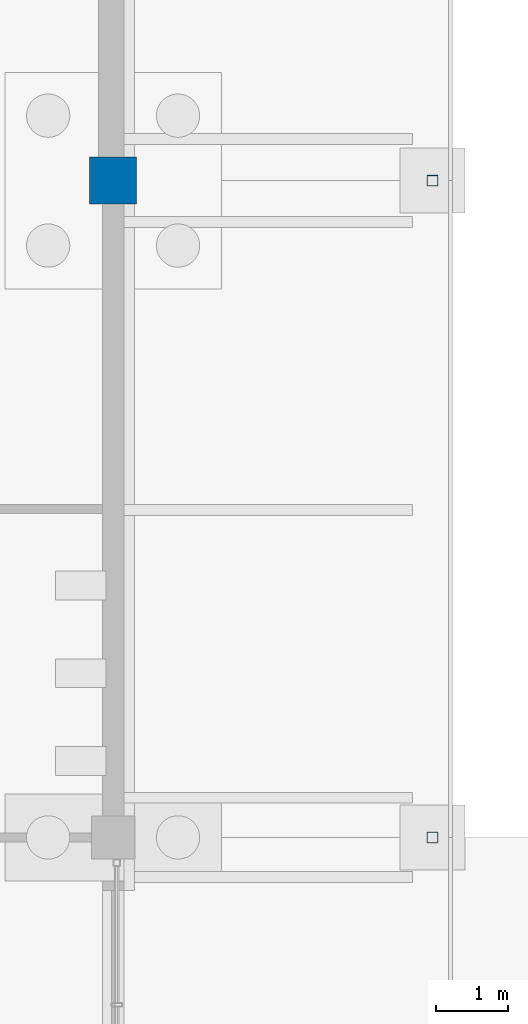
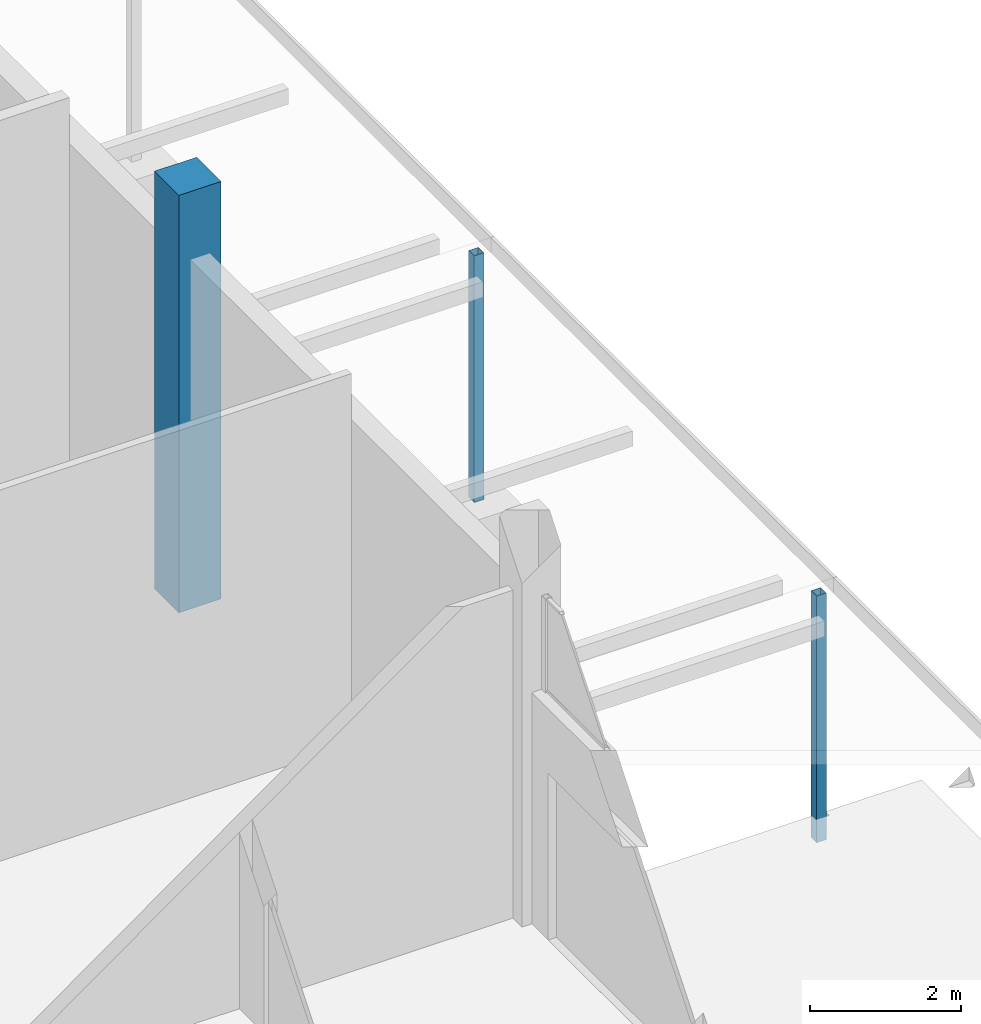
# One storey, part 43 of 129: 3 columns.
"""IFC4 building model written with IfcOpenShell, lengths in metres."""

from ifc_helpers import new_model, si_unit, direction, frame, origin, origin_2d, place, context, subcontext, project, spatial, rectangle, hollow_rectangle, extrude, material, material_profile, profile_set, type_object, element, save


model = new_model("IFC4")

# Units and contexts
model_context = context("Model", 3, precision=1e-05, world=origin(), true_north=direction((0.0, 1.0)))
body_context = subcontext(model_context, "Body", "Model", "MODEL_VIEW")
ifc_project = project(units=[si_unit("LENGTHUNIT", "METRE"), si_unit("AREAUNIT", "SQUARE_METRE"), si_unit("VOLUMEUNIT", "CUBIC_METRE"), si_unit("PLANEANGLEUNIT", "RADIAN"), si_unit("MASSUNIT", "GRAM", prefix="KILO")], contexts=[model_context])

# Site, building, storey
site_placement = place(None, origin())
site = spatial("IfcSite", under=ifc_project, at=site_placement, CompositionType="ELEMENT")
building_placement = place(site_placement, origin())
building = spatial("IfcBuilding", under=site, at=building_placement, Name="Shirokan Park Arena", CompositionType="ELEMENT")
storey_placement = place(building_placement, origin())
storey = spatial("IfcBuildingStorey", under=building, at=storey_placement, Name="L00", CompositionType="ELEMENT", Elevation=0.0)

# Columns
ifc_material_1 = material(Name="Concrete C35", Category="concrete")
ifc_material_profile_1 = material_profile(ifc_material_1, rectangle(XDim=0.64990234375, YDim=0.64990234375, at=origin_2d()), Name="650x650")
ifc_profile_set_1 = profile_set([ifc_material_profile_1], Name="Concrete C35")
column_type_1 = type_object("IfcColumnType", Name="RC column 650x650", PredefinedType="COLUMN", material=ifc_profile_set_1)
column_placement = place(storey_placement, frame((145.60009765625, 72.800048828125, -0.39990234375), z_axis=(0.0, 0.0, 1.0), x_axis=(1.0, 0.0, 0.0)))
element("IfcColumn", 1, at=column_placement, inside=storey, type_object=column_type_1, Name="Column 17J L00", PredefinedType="COLUMN", context=body_context, shape_type="SweptSolid", body=[
    extrude(rectangle(XDim=0.64990234375, YDim=0.64990234375, at=origin_2d()), origin(), (0.0, 0.0, 1.0), 6.77001953125),
])
ifc_material_2 = material(Name="Steel S355", Category="steel")
ifc_material_profile_2 = material_profile(ifc_material_2, hollow_rectangle(XDim=0.14990234375, YDim=0.14990234375, WallThickness=0.008056640625, at=origin_2d()), Name="RHS 150x150x8")
ifc_profile_set_2 = profile_set([ifc_material_profile_2], Name="Steel S355")
column_type_2 = type_object("IfcColumnType", Name="Steel post RHS 150x150x8", PredefinedType="COLUMN", material=ifc_profile_set_2)
for number, where, z_axis, x_axis, name in (
    (2, (150.02490234375, 63.699951171875, -0.39990234375), (0.0, 0.0, 1.0), (1.0, 0.0, 0.0), "Canopy post east grid 8"),
    (3, (150.02490234375, 72.800048828125, -0.39990234375), (0.0, 0.0, 1.0), (1.0, 0.0, 0.0), "Canopy post east grid 9"),
):
    element("IfcColumn", number, at=place(storey_placement, frame(where, z_axis=z_axis, x_axis=x_axis)), inside=storey, type_object=column_type_2, Name=name, PredefinedType="COLUMN", context=body_context, shape_type="SweptSolid", body=[
        extrude(hollow_rectangle(XDim=0.14990234375, YDim=0.14990234375, WallThickness=0.008056640625, at=origin_2d()), origin(), (0.0, 0.0, 1.0), 4.0),
    ])

save(model, "model.ifc")
